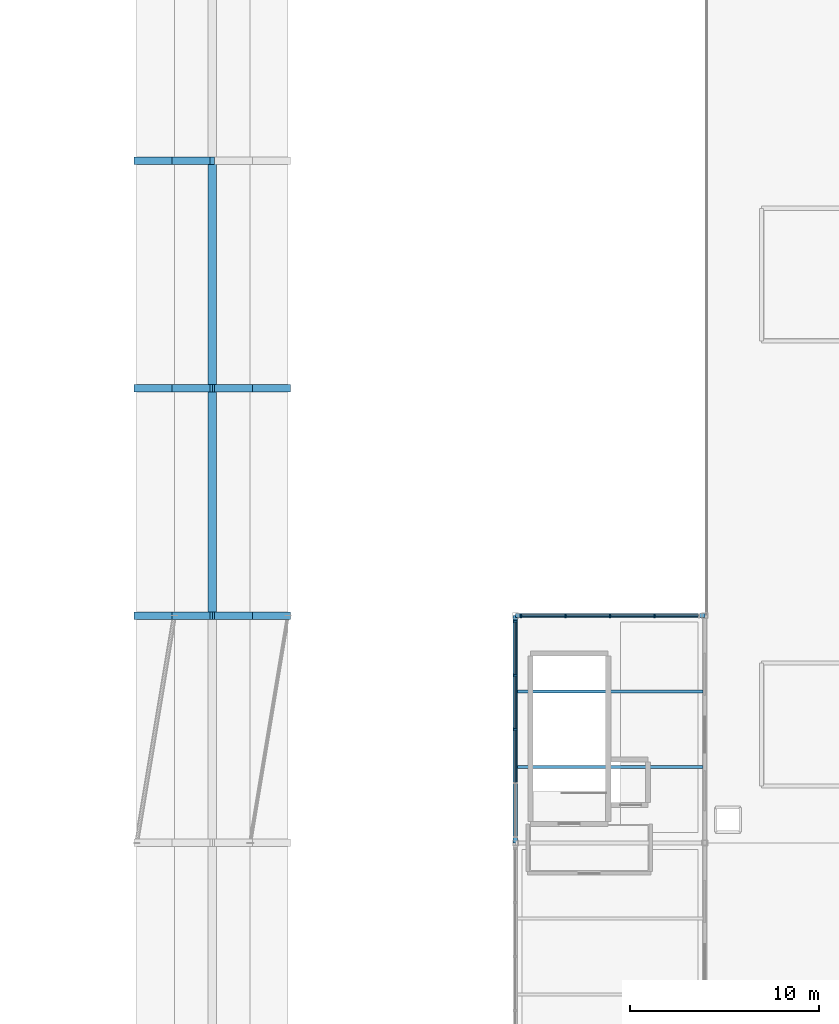
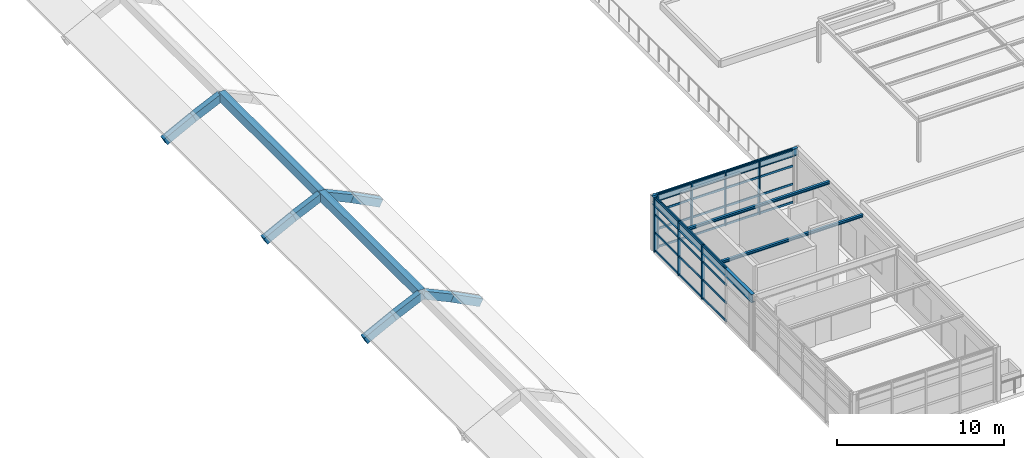
# One storey, part 15 of 49: 35 members, 16 beams, 2 elements without a shape of their own.
"""IFC4 building model written with IfcOpenShell, lengths in metres."""

from ifc_helpers import new_model, si_unit, direction, frame, origin, origin_2d, place, context, subcontext, project, spatial, rectangle, i_section, extrude, material, layer, layer_set, material_profile, profile_set, type_object, element, aggregate, save


model = new_model("IFC4")

# Units and contexts
model_context = context("Model", 3, precision=1e-05, world=origin(), true_north=direction((0.0, 1.0)))
body_context = subcontext(model_context, "Body", "Model", "MODEL_VIEW")
ifc_project = project(units=[si_unit("LENGTHUNIT", "METRE"), si_unit("AREAUNIT", "SQUARE_METRE"), si_unit("VOLUMEUNIT", "CUBIC_METRE"), si_unit("PLANEANGLEUNIT", "RADIAN"), si_unit("MASSUNIT", "GRAM", prefix="KILO")], contexts=[model_context])

# Site, building, storey
site_placement = place(None, origin())
site = spatial("IfcSite", under=ifc_project, at=site_placement, CompositionType="ELEMENT")
building_placement = place(site_placement, origin())
building = spatial("IfcBuilding", under=site, at=building_placement, Name="Sitalva Quay Ferry Terminal", CompositionType="ELEMENT")
storey_placement = place(building_placement, frame((0.0, 0.0, 10.199951171875)))
storey = spatial("IfcBuildingStorey", under=building, at=storey_placement, Name="L03", CompositionType="ELEMENT", Elevation=10.199951171875)

# Beams
ifc_material_1 = material(Name="Concrete C40/50", Category="concrete")
ifc_material_profile_1 = material_profile(ifc_material_1, rectangle(XDim=0.39990234375, YDim=0.550048828125, at=origin_2d()), Name="RC400x550")
ifc_profile_set_1 = profile_set([ifc_material_profile_1], Name="Concrete C40/50")
beam_type_1 = type_object("IfcBeamType", Name="Beam_Arch_RC400x550", PredefinedType="BEAM", material=ifc_profile_set_1)
beam_1_placement = place(storey_placement, frame((54.0, 30.0, 0.395263671875), z_axis=(0.88942149916, 0.0, 0.457087953059), x_axis=(0.0, 1.0, 0.0)))
element("IfcBeam", 1, at=beam_1_placement, inside=storey, type_object=beam_type_1, Name="Vault V1 transverse arch rib 3.7", PredefinedType="BEAM", context=body_context, shape_type="SweptSolid", body=[
    extrude(rectangle(XDim=0.39990234375, YDim=0.550048828125, at=origin_2d()), origin(), (0.0, 0.0, 1.0), 2.24853515625),
])
for number, where, z_axis, x_axis, name in (
    (2, (56.0, 30.0, 1.4267578125), (0.908124785196, 0.0, 0.418699623253), (0.0, 1.0, 0.0), "Vault V1 transverse arch rib 3.8"),
    (3, (58.0, 30.0, 2.348876953125), (0.908124785196, 0.0, -0.418699623253), (0.0, 1.0, 0.0), "Vault V1 transverse arch rib 3.9"),
):
    element("IfcBeam", number, at=place(storey_placement, frame(where, z_axis=z_axis, x_axis=x_axis)), inside=storey, type_object=beam_type_1, Name=name, PredefinedType="BEAM", context=body_context, shape_type="SweptSolid", body=[
        extrude(rectangle(XDim=0.39990234375, YDim=0.550048828125, at=origin_2d()), origin(), (0.0, 0.0, 1.0), 2.202392578125),
    ])
for number, where, z_axis, x_axis, name in (
    (4, (60.0, 30.0, 1.423095703125), (0.88942149916, 0.0, -0.457087953059), (0.0, 1.0, 0.0), "Vault V1 transverse arch rib 3.10"),
    (5, (54.0, 42.0, 0.395263671875), (0.88942149916, 0.0, 0.457087953059), (0.0, 1.0, 0.0), "Vault V1 transverse arch rib 4.7"),
):
    element("IfcBeam", number, at=place(storey_placement, frame(where, z_axis=z_axis, x_axis=x_axis)), inside=storey, type_object=beam_type_1, Name=name, PredefinedType="BEAM", context=body_context, shape_type="SweptSolid", body=[
        extrude(rectangle(XDim=0.39990234375, YDim=0.550048828125, at=origin_2d()), origin(), (0.0, 0.0, 1.0), 2.24853515625),
    ])
for number, where, z_axis, x_axis, name in (
    (6, (56.0, 42.0, 1.4267578125), (0.908124785196, 0.0, 0.418699623253), (0.0, 1.0, 0.0), "Vault V1 transverse arch rib 4.8"),
    (7, (58.0, 42.0, 2.348876953125), (0.908124785196, 0.0, -0.418699623253), (0.0, 1.0, 0.0), "Vault V1 transverse arch rib 4.9"),
):
    element("IfcBeam", number, at=place(storey_placement, frame(where, z_axis=z_axis, x_axis=x_axis)), inside=storey, type_object=beam_type_1, Name=name, PredefinedType="BEAM", context=body_context, shape_type="SweptSolid", body=[
        extrude(rectangle(XDim=0.39990234375, YDim=0.550048828125, at=origin_2d()), origin(), (0.0, 0.0, 1.0), 2.202392578125),
    ])
for number, where, z_axis, x_axis, name in (
    (8, (60.0, 42.0, 1.423095703125), (0.88942149916, 0.0, -0.457087953059), (0.0, 1.0, 0.0), "Vault V1 transverse arch rib 4.10"),
    (9, (54.0, 54.0, 0.395263671875), (0.88942149916, 0.0, 0.457087953059), (0.0, 1.0, 0.0), "Vault V1 transverse arch rib 5.7"),
):
    element("IfcBeam", number, at=place(storey_placement, frame(where, z_axis=z_axis, x_axis=x_axis)), inside=storey, type_object=beam_type_1, Name=name, PredefinedType="BEAM", context=body_context, shape_type="SweptSolid", body=[
        extrude(rectangle(XDim=0.39990234375, YDim=0.550048828125, at=origin_2d()), origin(), (0.0, 0.0, 1.0), 2.24853515625),
    ])
beam_2_placement = place(storey_placement, frame((56.0, 54.0, 1.4267578125), z_axis=(0.908124785196, 0.0, 0.418699623253), x_axis=(0.0, 1.0, 0.0)))
element("IfcBeam", 10, at=beam_2_placement, inside=storey, type_object=beam_type_1, Name="Vault V1 transverse arch rib 5.8", PredefinedType="BEAM", context=body_context, shape_type="SweptSolid", body=[
    extrude(rectangle(XDim=0.39990234375, YDim=0.550048828125, at=origin_2d()), origin(), (0.0, 0.0, 1.0), 2.202392578125),
])
ifc_material_2 = material(Name="Concrete C40/50", Category="concrete")
ifc_material_profile_2 = material_profile(ifc_material_2, rectangle(XDim=0.449951171875, YDim=0.64990234375, at=origin_2d()), Name="RC450x650")
ifc_profile_set_2 = profile_set([ifc_material_profile_2], Name="Concrete C40/50")
beam_type_2 = type_object("IfcBeamType", Name="Beam_Ridge_RC450x650", PredefinedType="BEAM", material=ifc_profile_set_2)
for number, where, z_axis, x_axis, name in (
    (11, (58.0, 30.0, 2.31494140625), (0.0, 1.0, 0.0), (-1.0, 0.0, 0.0), "Vault V1 pointed ridge beam bay 3"),
    (12, (58.0, 42.0, 2.31494140625), (0.0, 1.0, 0.0), (-1.0, 0.0, 0.0), "Vault V1 pointed ridge beam bay 4"),
):
    element("IfcBeam", number, at=place(storey_placement, frame(where, z_axis=z_axis, x_axis=x_axis)), inside=storey, type_object=beam_type_2, Name=name, PredefinedType="BEAM", context=body_context, shape_type="SweptSolid", body=[
        extrude(rectangle(XDim=0.449951171875, YDim=0.64990234375, at=origin_2d()), origin(), (0.0, 0.0, 1.0), 12.0),
    ])
ifc_material_3 = material(Name="Structural Steel S355JR", Category="steel")
ifc_material_profile_3 = material_profile(ifc_material_3, i_section(OverallWidth=0.208984375, OverallDepth=0.532958984375, WebThickness=0.01025390625, FlangeThickness=0.015625, FilletRadius=0.014892578125, at=origin_2d()), Name="W530x92")
ifc_profile_set_3 = profile_set([ifc_material_profile_3], Name="Structural Steel S355JR")
beam_type_3 = type_object("IfcBeamType", Name="Girder_W530x92", PredefinedType="USERDEFINED", material=ifc_profile_set_3)
beam_3_placement = place(storey_placement, frame((74.0, 30.0, 3.713623046875), z_axis=(1.0, 0.0, 0.0), x_axis=(0.0, 1.0, 0.0)))
element("IfcBeam", 13, at=beam_3_placement, inside=storey, type_object=beam_type_3, Name="L03 Primary X girder 1187", ObjectType="GIRDER", PredefinedType="USERDEFINED", context=body_context, shape_type="SweptSolid", body=[
    extrude(i_section(OverallWidth=0.208984375, OverallDepth=0.532958984375, WebThickness=0.01025390625, FlangeThickness=0.015625, FilletRadius=0.014892578125, at=origin_2d()), origin(), (0.0, 0.0, 1.0), 10.0),
])
ifc_material_4 = material(Name="Structural Steel S355JR", Category="steel")
ifc_material_profile_4 = material_profile(ifc_material_4, i_section(OverallWidth=0.22802734375, OverallDepth=0.60791015625, WebThickness=0.01123046875, FlangeThickness=0.017333984375, FilletRadius=0.01611328125, at=origin_2d()), Name="W610x113")
ifc_profile_set_4 = profile_set([ifc_material_profile_4], Name="Structural Steel S355JR")
beam_type_4 = type_object("IfcBeamType", Name="Girder_W610x113", PredefinedType="USERDEFINED", material=ifc_profile_set_4)
beam_4_placement = place(storey_placement, frame((74.0, 18.0, 3.676025390625), z_axis=(0.0, 1.0, 0.0), x_axis=(-1.0, 0.0, 0.0)))
element("IfcBeam", 14, at=beam_4_placement, inside=storey, type_object=beam_type_4, Name="L03 Primary Y girder 1189", ObjectType="GIRDER", PredefinedType="USERDEFINED", context=body_context, shape_type="SweptSolid", body=[
    extrude(i_section(OverallWidth=0.22802734375, OverallDepth=0.60791015625, WebThickness=0.01123046875, FlangeThickness=0.017333984375, FilletRadius=0.01611328125, at=origin_2d()), origin(), (0.0, 0.0, 1.0), 12.0),
])
ifc_material_5 = material(Name="Structural Steel S355JR", Category="steel")
ifc_material_profile_5 = material_profile(ifc_material_5, i_section(OverallWidth=0.1650390625, OverallDepth=0.200927734375, WebThickness=0.006103515625, FlangeThickness=0.01025390625, FilletRadius=0.010009765625, at=origin_2d()), Name="W200x36")
ifc_profile_set_5 = profile_set([ifc_material_profile_5], Name="Structural Steel S355JR")
beam_type_5 = type_object("IfcBeamType", Name="Joist_W200x36", PredefinedType="JOIST", material=ifc_profile_set_5)
for number, where, z_axis, x_axis, name in (
    (15, (74.10009765625, 22.0, 3.879638671875), (1.0, 0.0, 0.0), (0.0, 1.0, 0.0), "L03 Secondary joist 1194"),
    (16, (74.10009765625, 26.0, 3.879638671875), (1.0, 0.0, 0.0), (0.0, 1.0, 0.0), "L03 Secondary joist 1195"),
):
    element("IfcBeam", number, at=place(storey_placement, frame(where, z_axis=z_axis, x_axis=x_axis)), inside=storey, type_object=beam_type_5, Name=name, PredefinedType="JOIST", context=body_context, shape_type="SweptSolid", body=[
        extrude(i_section(OverallWidth=0.1650390625, OverallDepth=0.200927734375, WebThickness=0.006103515625, FlangeThickness=0.01025390625, FilletRadius=0.010009765625, at=origin_2d()), origin(), (0.0, 0.0, 1.0), 9.7998046875),
    ])

# Curtain wall, members
ifc_material_6 = material(Name="Anodised Aluminium & Low-E Glazing", Category="aluminium")
ifc_layer = layer(ifc_material_6, 0.159912109375)
ifc_layer_set = layer_set([ifc_layer], Name="Anodised Aluminium & Low-E Glazing")
curtain_wall_type = type_object("IfcCurtainWallType", Name="CW_Concourse_Unitised", PredefinedType="USERDEFINED", material=ifc_layer_set)
curtain_wall_1_placement = place(storey_placement, origin())
curtain_wall_1 = element("IfcCurtainWall", 17, at=curtain_wall_1_placement, inside=storey, type_object=curtain_wall_type, Name="L03 promenade pavilion north glazing (CW-L03-087)", ObjectType="CURTAIN_WALL", PredefinedType="USERDEFINED")
ifc_material_7 = material(Name="Anodised Aluminium 6063-T6", Category="aluminium")
ifc_material_profile_6 = material_profile(ifc_material_7, rectangle(XDim=0.0849609375, YDim=0.2099609375, at=origin_2d()), Name="ALU85x210")
ifc_profile_set_6 = profile_set([ifc_material_profile_6], Name="Anodised Aluminium 6063-T6")
member_type_1 = type_object("IfcMemberType", Name="Mullion_Alu_85x210", PredefinedType="MULLION", material=ifc_profile_set_6)
member_1_placement = place(storey_placement, frame((74.300048828125, 30.0, 0.0), z_axis=(0.0, 0.0, 1.0), x_axis=(1.0, 0.0, 0.0)))
member_1 = element("IfcMember", 18, at=member_1_placement, type_object=member_type_1, Name="CW-L03-087-M0", PredefinedType="MULLION", context=body_context, shape_type="SweptSolid", body=[
    extrude(rectangle(XDim=0.0849609375, YDim=0.2099609375, at=origin_2d()), origin(), (0.0, 0.0, 1.0), 3.97998046875),
])
member_2_placement = place(storey_placement, frame((76.64990234375, 30.0, 0.0), z_axis=(0.0, 0.0, 1.0), x_axis=(1.0, 0.0, 0.0)))
member_2 = element("IfcMember", 19, at=member_2_placement, type_object=member_type_1, Name="CW-L03-087-M1", PredefinedType="MULLION", context=body_context, shape_type="SweptSolid", body=[
    extrude(rectangle(XDim=0.0849609375, YDim=0.2099609375, at=origin_2d()), origin(), (0.0, 0.0, 1.0), 3.97998046875),
])
member_3_placement = place(storey_placement, frame((79.0, 30.0, 0.0), z_axis=(0.0, 0.0, 1.0), x_axis=(1.0, 0.0, 0.0)))
member_3 = element("IfcMember", 20, at=member_3_placement, type_object=member_type_1, Name="CW-L03-087-M2", PredefinedType="MULLION", context=body_context, shape_type="SweptSolid", body=[
    extrude(rectangle(XDim=0.0849609375, YDim=0.2099609375, at=origin_2d()), origin(), (0.0, 0.0, 1.0), 3.97998046875),
])
member_4_placement = place(storey_placement, frame((81.35009765625, 30.0, 0.0), z_axis=(0.0, 0.0, 1.0), x_axis=(1.0, 0.0, 0.0)))
member_4 = element("IfcMember", 21, at=member_4_placement, type_object=member_type_1, Name="CW-L03-087-M3", PredefinedType="MULLION", context=body_context, shape_type="SweptSolid", body=[
    extrude(rectangle(XDim=0.0849609375, YDim=0.2099609375, at=origin_2d()), origin(), (0.0, 0.0, 1.0), 3.97998046875),
])

curtain_wall_2_placement = place(storey_placement, origin())
curtain_wall_2 = element("IfcCurtainWall", 22, at=curtain_wall_2_placement, inside=storey, type_object=curtain_wall_type, Name="L03 promenade pavilion west glazing (CW-L03-089)", ObjectType="CURTAIN_WALL", PredefinedType="USERDEFINED")
member_5_placement = place(storey_placement, frame((74.0, 24.0, 0.0), z_axis=(0.0, 0.0, 1.0), x_axis=(0.0, 1.0, 0.0)))
member_5 = element("IfcMember", 23, at=member_5_placement, type_object=member_type_1, Name="CW-L03-089-M2", PredefinedType="MULLION", context=body_context, shape_type="SweptSolid", body=[
    extrude(rectangle(XDim=0.0849609375, YDim=0.2099609375, at=origin_2d()), origin(), (0.0, 0.0, 1.0), 3.97998046875),
])
member_6_placement = place(storey_placement, frame((74.0, 26.85009765625, 0.0), z_axis=(0.0, 0.0, 1.0), x_axis=(0.0, 1.0, 0.0)))
member_6 = element("IfcMember", 24, at=member_6_placement, type_object=member_type_1, Name="CW-L03-089-M3", PredefinedType="MULLION", context=body_context, shape_type="SweptSolid", body=[
    extrude(rectangle(XDim=0.0849609375, YDim=0.2099609375, at=origin_2d()), origin(), (0.0, 0.0, 1.0), 3.97998046875),
])
member_7_placement = place(storey_placement, frame((74.0, 29.699951171875, 0.0), z_axis=(0.0, 0.0, 1.0), x_axis=(0.0, 1.0, 0.0)))
member_7 = element("IfcMember", 25, at=member_7_placement, type_object=member_type_1, Name="CW-L03-089-M4", PredefinedType="MULLION", context=body_context, shape_type="SweptSolid", body=[
    extrude(rectangle(XDim=0.0849609375, YDim=0.2099609375, at=origin_2d()), origin(), (0.0, 0.0, 1.0), 3.97998046875),
])

# Member
ifc_material_8 = material(Name="Anodised Aluminium 6063-T6", Category="aluminium")
ifc_material_profile_7 = material_profile(ifc_material_8, rectangle(XDim=0.074951171875, YDim=0.14990234375, at=origin_2d()), Name="ALU75x150")
ifc_profile_set_7 = profile_set([ifc_material_profile_7], Name="Anodised Aluminium 6063-T6")
member_type_2 = type_object("IfcMemberType", Name="Transom_Alu_75x140", PredefinedType="MULLION", material=ifc_profile_set_7)
member_8_placement = place(storey_placement, frame((74.342529296875, 30.0, 0.074951171875), z_axis=(1.0, 0.0, 0.0), x_axis=(0.0, 1.0, 0.0)))
member_8 = element("IfcMember", 26, at=member_8_placement, type_object=member_type_2, Name="CW-L03-087-T0-0", ObjectType="TRANSOM", PredefinedType="USERDEFINED", context=body_context, shape_type="SweptSolid", body=[
    extrude(rectangle(XDim=0.074951171875, YDim=0.14990234375, at=origin_2d()), origin(), (0.0, 0.0, 1.0), 2.264892578125),
])

member_9_placement = place(storey_placement, frame((74.342529296875, 30.0, 1.401611328125), z_axis=(1.0, 0.0, 0.0), x_axis=(0.0, 1.0, 0.0)))
member_9 = element("IfcMember", 27, at=member_9_placement, type_object=member_type_2, Name="CW-L03-087-T0-1", ObjectType="TRANSOM", PredefinedType="USERDEFINED", context=body_context, shape_type="SweptSolid", body=[
    extrude(rectangle(XDim=0.074951171875, YDim=0.14990234375, at=origin_2d()), origin(), (0.0, 0.0, 1.0), 2.264892578125),
])

member_10_placement = place(storey_placement, frame((74.342529296875, 30.0, 2.728271484375), z_axis=(1.0, 0.0, 0.0), x_axis=(0.0, 1.0, 0.0)))
member_10 = element("IfcMember", 28, at=member_10_placement, type_object=member_type_2, Name="CW-L03-087-T0-2", ObjectType="TRANSOM", PredefinedType="USERDEFINED", context=body_context, shape_type="SweptSolid", body=[
    extrude(rectangle(XDim=0.074951171875, YDim=0.14990234375, at=origin_2d()), origin(), (0.0, 0.0, 1.0), 2.264892578125),
])

member_11_placement = place(storey_placement, frame((74.342529296875, 30.0, 3.905029296875), z_axis=(1.0, 0.0, 0.0), x_axis=(0.0, 1.0, 0.0)))
member_11 = element("IfcMember", 29, at=member_11_placement, type_object=member_type_2, Name="CW-L03-087-T0-3", ObjectType="TRANSOM", PredefinedType="USERDEFINED", context=body_context, shape_type="SweptSolid", body=[
    extrude(rectangle(XDim=0.074951171875, YDim=0.14990234375, at=origin_2d()), origin(), (0.0, 0.0, 1.0), 2.264892578125),
])

member_12_placement = place(storey_placement, frame((76.6923828125, 30.0, 0.074951171875), z_axis=(1.0, 0.0, 0.0), x_axis=(0.0, 1.0, 0.0)))
member_12 = element("IfcMember", 30, at=member_12_placement, type_object=member_type_2, Name="CW-L03-087-T1-0", ObjectType="TRANSOM", PredefinedType="USERDEFINED", context=body_context, shape_type="SweptSolid", body=[
    extrude(rectangle(XDim=0.074951171875, YDim=0.14990234375, at=origin_2d()), origin(), (0.0, 0.0, 1.0), 2.26513671875),
])

member_13_placement = place(storey_placement, frame((76.6923828125, 30.0, 1.401611328125), z_axis=(1.0, 0.0, 0.0), x_axis=(0.0, 1.0, 0.0)))
member_13 = element("IfcMember", 31, at=member_13_placement, type_object=member_type_2, Name="CW-L03-087-T1-1", ObjectType="TRANSOM", PredefinedType="USERDEFINED", context=body_context, shape_type="SweptSolid", body=[
    extrude(rectangle(XDim=0.074951171875, YDim=0.14990234375, at=origin_2d()), origin(), (0.0, 0.0, 1.0), 2.26513671875),
])

member_14_placement = place(storey_placement, frame((76.6923828125, 30.0, 2.728271484375), z_axis=(1.0, 0.0, 0.0), x_axis=(0.0, 1.0, 0.0)))
member_14 = element("IfcMember", 32, at=member_14_placement, type_object=member_type_2, Name="CW-L03-087-T1-2", ObjectType="TRANSOM", PredefinedType="USERDEFINED", context=body_context, shape_type="SweptSolid", body=[
    extrude(rectangle(XDim=0.074951171875, YDim=0.14990234375, at=origin_2d()), origin(), (0.0, 0.0, 1.0), 2.26513671875),
])

member_15_placement = place(storey_placement, frame((76.6923828125, 30.0, 3.905029296875), z_axis=(1.0, 0.0, 0.0), x_axis=(0.0, 1.0, 0.0)))
member_15 = element("IfcMember", 33, at=member_15_placement, type_object=member_type_2, Name="CW-L03-087-T1-3", ObjectType="TRANSOM", PredefinedType="USERDEFINED", context=body_context, shape_type="SweptSolid", body=[
    extrude(rectangle(XDim=0.074951171875, YDim=0.14990234375, at=origin_2d()), origin(), (0.0, 0.0, 1.0), 2.26513671875),
])

member_16_placement = place(storey_placement, frame((79.04248046875, 30.0, 0.074951171875), z_axis=(1.0, 0.0, 0.0), x_axis=(0.0, 1.0, 0.0)))
member_16 = element("IfcMember", 34, at=member_16_placement, type_object=member_type_2, Name="CW-L03-087-T2-0", ObjectType="TRANSOM", PredefinedType="USERDEFINED", context=body_context, shape_type="SweptSolid", body=[
    extrude(rectangle(XDim=0.074951171875, YDim=0.14990234375, at=origin_2d()), origin(), (0.0, 0.0, 1.0), 2.26513671875),
])

member_17_placement = place(storey_placement, frame((79.04248046875, 30.0, 1.401611328125), z_axis=(1.0, 0.0, 0.0), x_axis=(0.0, 1.0, 0.0)))
member_17 = element("IfcMember", 35, at=member_17_placement, type_object=member_type_2, Name="CW-L03-087-T2-1", ObjectType="TRANSOM", PredefinedType="USERDEFINED", context=body_context, shape_type="SweptSolid", body=[
    extrude(rectangle(XDim=0.074951171875, YDim=0.14990234375, at=origin_2d()), origin(), (0.0, 0.0, 1.0), 2.26513671875),
])

member_18_placement = place(storey_placement, frame((79.04248046875, 30.0, 2.728271484375), z_axis=(1.0, 0.0, 0.0), x_axis=(0.0, 1.0, 0.0)))
member_18 = element("IfcMember", 36, at=member_18_placement, type_object=member_type_2, Name="CW-L03-087-T2-2", ObjectType="TRANSOM", PredefinedType="USERDEFINED", context=body_context, shape_type="SweptSolid", body=[
    extrude(rectangle(XDim=0.074951171875, YDim=0.14990234375, at=origin_2d()), origin(), (0.0, 0.0, 1.0), 2.26513671875),
])

member_19_placement = place(storey_placement, frame((79.04248046875, 30.0, 3.905029296875), z_axis=(1.0, 0.0, 0.0), x_axis=(0.0, 1.0, 0.0)))
member_19 = element("IfcMember", 37, at=member_19_placement, type_object=member_type_2, Name="CW-L03-087-T2-3", ObjectType="TRANSOM", PredefinedType="USERDEFINED", context=body_context, shape_type="SweptSolid", body=[
    extrude(rectangle(XDim=0.074951171875, YDim=0.14990234375, at=origin_2d()), origin(), (0.0, 0.0, 1.0), 2.26513671875),
])

member_20_placement = place(storey_placement, frame((81.392578125, 30.0, 0.074951171875), z_axis=(1.0, 0.0, 0.0), x_axis=(0.0, 1.0, 0.0)))
member_20 = element("IfcMember", 38, at=member_20_placement, type_object=member_type_2, Name="CW-L03-087-T3-0", ObjectType="TRANSOM", PredefinedType="USERDEFINED", context=body_context, shape_type="SweptSolid", body=[
    extrude(rectangle(XDim=0.074951171875, YDim=0.14990234375, at=origin_2d()), origin(), (0.0, 0.0, 1.0), 2.264892578125),
])

member_21_placement = place(storey_placement, frame((81.392578125, 30.0, 1.401611328125), z_axis=(1.0, 0.0, 0.0), x_axis=(0.0, 1.0, 0.0)))
member_21 = element("IfcMember", 39, at=member_21_placement, type_object=member_type_2, Name="CW-L03-087-T3-1", ObjectType="TRANSOM", PredefinedType="USERDEFINED", context=body_context, shape_type="SweptSolid", body=[
    extrude(rectangle(XDim=0.074951171875, YDim=0.14990234375, at=origin_2d()), origin(), (0.0, 0.0, 1.0), 2.264892578125),
])

member_22_placement = place(storey_placement, frame((81.392578125, 30.0, 2.728271484375), z_axis=(1.0, 0.0, 0.0), x_axis=(0.0, 1.0, 0.0)))
member_22 = element("IfcMember", 40, at=member_22_placement, type_object=member_type_2, Name="CW-L03-087-T3-2", ObjectType="TRANSOM", PredefinedType="USERDEFINED", context=body_context, shape_type="SweptSolid", body=[
    extrude(rectangle(XDim=0.074951171875, YDim=0.14990234375, at=origin_2d()), origin(), (0.0, 0.0, 1.0), 2.264892578125),
])

member_23_placement = place(storey_placement, frame((81.392578125, 30.0, 3.905029296875), z_axis=(1.0, 0.0, 0.0), x_axis=(0.0, 1.0, 0.0)))
member_23 = element("IfcMember", 41, at=member_23_placement, type_object=member_type_2, Name="CW-L03-087-T3-3", ObjectType="TRANSOM", PredefinedType="USERDEFINED", context=body_context, shape_type="SweptSolid", body=[
    extrude(rectangle(XDim=0.074951171875, YDim=0.14990234375, at=origin_2d()), origin(), (0.0, 0.0, 1.0), 2.264892578125),
])

aggregate(curtain_wall_1, [member_1, member_2, member_3, member_4, member_8, member_9, member_10, member_11, member_12, member_13, member_14, member_15, member_16, member_17, member_18, member_19, member_20, member_21, member_22, member_23])

member_24_placement = place(storey_placement, frame((74.0, 21.1923828125, 0.074951171875), z_axis=(0.0, 1.0, 0.0), x_axis=(-1.0, 0.0, 0.0)))
member_24 = element("IfcMember", 42, at=member_24_placement, type_object=member_type_2, Name="CW-L03-089-T1-0", ObjectType="TRANSOM", PredefinedType="USERDEFINED", context=body_context, shape_type="SweptSolid", body=[
    extrude(rectangle(XDim=0.074951171875, YDim=0.14990234375, at=origin_2d()), origin(), (0.0, 0.0, 1.0), 2.76513671875),
])

member_25_placement = place(storey_placement, frame((74.0, 21.1923828125, 1.401611328125), z_axis=(0.0, 1.0, 0.0), x_axis=(-1.0, 0.0, 0.0)))
member_25 = element("IfcMember", 43, at=member_25_placement, type_object=member_type_2, Name="CW-L03-089-T1-1", ObjectType="TRANSOM", PredefinedType="USERDEFINED", context=body_context, shape_type="SweptSolid", body=[
    extrude(rectangle(XDim=0.074951171875, YDim=0.14990234375, at=origin_2d()), origin(), (0.0, 0.0, 1.0), 2.76513671875),
])

member_26_placement = place(storey_placement, frame((74.0, 21.1923828125, 2.728271484375), z_axis=(0.0, 1.0, 0.0), x_axis=(-1.0, 0.0, 0.0)))
member_26 = element("IfcMember", 44, at=member_26_placement, type_object=member_type_2, Name="CW-L03-089-T1-2", ObjectType="TRANSOM", PredefinedType="USERDEFINED", context=body_context, shape_type="SweptSolid", body=[
    extrude(rectangle(XDim=0.074951171875, YDim=0.14990234375, at=origin_2d()), origin(), (0.0, 0.0, 1.0), 2.76513671875),
])

member_27_placement = place(storey_placement, frame((74.0, 21.1923828125, 3.905029296875), z_axis=(0.0, 1.0, 0.0), x_axis=(-1.0, 0.0, 0.0)))
member_27 = element("IfcMember", 45, at=member_27_placement, type_object=member_type_2, Name="CW-L03-089-T1-3", ObjectType="TRANSOM", PredefinedType="USERDEFINED", context=body_context, shape_type="SweptSolid", body=[
    extrude(rectangle(XDim=0.074951171875, YDim=0.14990234375, at=origin_2d()), origin(), (0.0, 0.0, 1.0), 2.76513671875),
])

member_28_placement = place(storey_placement, frame((74.0, 24.04248046875, 0.074951171875), z_axis=(0.0, 1.0, 0.0), x_axis=(-1.0, 0.0, 0.0)))
member_28 = element("IfcMember", 46, at=member_28_placement, type_object=member_type_2, Name="CW-L03-089-T2-0", ObjectType="TRANSOM", PredefinedType="USERDEFINED", context=body_context, shape_type="SweptSolid", body=[
    extrude(rectangle(XDim=0.074951171875, YDim=0.14990234375, at=origin_2d()), origin(), (0.0, 0.0, 1.0), 2.76513671875),
])

member_29_placement = place(storey_placement, frame((74.0, 24.04248046875, 1.401611328125), z_axis=(0.0, 1.0, 0.0), x_axis=(-1.0, 0.0, 0.0)))
member_29 = element("IfcMember", 47, at=member_29_placement, type_object=member_type_2, Name="CW-L03-089-T2-1", ObjectType="TRANSOM", PredefinedType="USERDEFINED", context=body_context, shape_type="SweptSolid", body=[
    extrude(rectangle(XDim=0.074951171875, YDim=0.14990234375, at=origin_2d()), origin(), (0.0, 0.0, 1.0), 2.76513671875),
])

member_30_placement = place(storey_placement, frame((74.0, 24.04248046875, 2.728271484375), z_axis=(0.0, 1.0, 0.0), x_axis=(-1.0, 0.0, 0.0)))
member_30 = element("IfcMember", 48, at=member_30_placement, type_object=member_type_2, Name="CW-L03-089-T2-2", ObjectType="TRANSOM", PredefinedType="USERDEFINED", context=body_context, shape_type="SweptSolid", body=[
    extrude(rectangle(XDim=0.074951171875, YDim=0.14990234375, at=origin_2d()), origin(), (0.0, 0.0, 1.0), 2.76513671875),
])

member_31_placement = place(storey_placement, frame((74.0, 24.04248046875, 3.905029296875), z_axis=(0.0, 1.0, 0.0), x_axis=(-1.0, 0.0, 0.0)))
member_31 = element("IfcMember", 49, at=member_31_placement, type_object=member_type_2, Name="CW-L03-089-T2-3", ObjectType="TRANSOM", PredefinedType="USERDEFINED", context=body_context, shape_type="SweptSolid", body=[
    extrude(rectangle(XDim=0.074951171875, YDim=0.14990234375, at=origin_2d()), origin(), (0.0, 0.0, 1.0), 2.76513671875),
])

member_32_placement = place(storey_placement, frame((74.0, 26.892578125, 0.074951171875), z_axis=(0.0, 1.0, 0.0), x_axis=(-1.0, 0.0, 0.0)))
member_32 = element("IfcMember", 50, at=member_32_placement, type_object=member_type_2, Name="CW-L03-089-T3-0", ObjectType="TRANSOM", PredefinedType="USERDEFINED", context=body_context, shape_type="SweptSolid", body=[
    extrude(rectangle(XDim=0.074951171875, YDim=0.14990234375, at=origin_2d()), origin(), (0.0, 0.0, 1.0), 2.764892578125),
])

member_33_placement = place(storey_placement, frame((74.0, 26.892578125, 1.401611328125), z_axis=(0.0, 1.0, 0.0), x_axis=(-1.0, 0.0, 0.0)))
member_33 = element("IfcMember", 51, at=member_33_placement, type_object=member_type_2, Name="CW-L03-089-T3-1", ObjectType="TRANSOM", PredefinedType="USERDEFINED", context=body_context, shape_type="SweptSolid", body=[
    extrude(rectangle(XDim=0.074951171875, YDim=0.14990234375, at=origin_2d()), origin(), (0.0, 0.0, 1.0), 2.764892578125),
])

member_34_placement = place(storey_placement, frame((74.0, 26.892578125, 2.728271484375), z_axis=(0.0, 1.0, 0.0), x_axis=(-1.0, 0.0, 0.0)))
member_34 = element("IfcMember", 52, at=member_34_placement, type_object=member_type_2, Name="CW-L03-089-T3-2", ObjectType="TRANSOM", PredefinedType="USERDEFINED", context=body_context, shape_type="SweptSolid", body=[
    extrude(rectangle(XDim=0.074951171875, YDim=0.14990234375, at=origin_2d()), origin(), (0.0, 0.0, 1.0), 2.764892578125),
])

member_35_placement = place(storey_placement, frame((74.0, 26.892578125, 3.905029296875), z_axis=(0.0, 1.0, 0.0), x_axis=(-1.0, 0.0, 0.0)))
member_35 = element("IfcMember", 53, at=member_35_placement, type_object=member_type_2, Name="CW-L03-089-T3-3", ObjectType="TRANSOM", PredefinedType="USERDEFINED", context=body_context, shape_type="SweptSolid", body=[
    extrude(rectangle(XDim=0.074951171875, YDim=0.14990234375, at=origin_2d()), origin(), (0.0, 0.0, 1.0), 2.764892578125),
])

aggregate(curtain_wall_2, [member_5, member_6, member_7, member_24, member_25, member_26, member_27, member_28, member_29, member_30, member_31, member_32, member_33, member_34, member_35])

save(model, "model.ifc")
